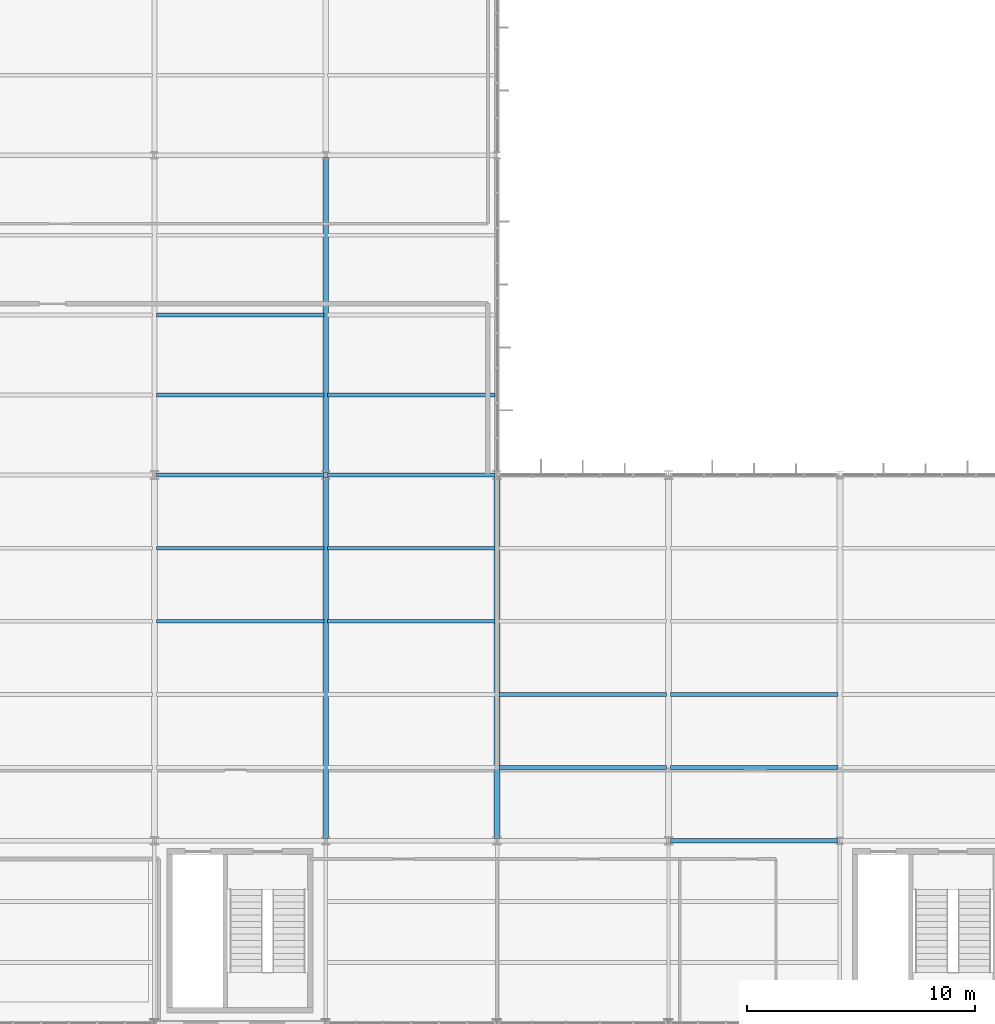
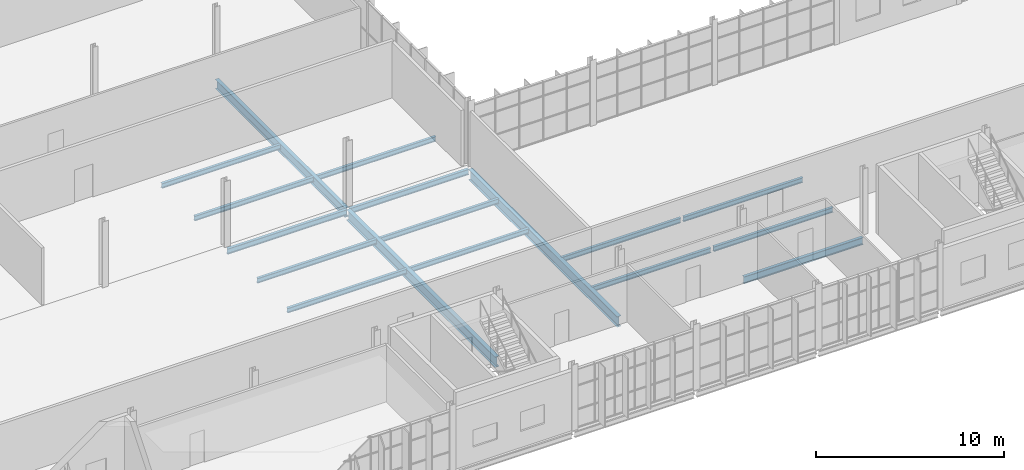
# One storey, part 29 of 324: 17 beams.
"""IFC4 building model written with IfcOpenShell, lengths in metres."""

from ifc_helpers import new_model, si_unit, direction, frame, origin, origin_2d, place, context, subcontext, project, spatial, i_section, extrude, material, material_profile, profile_set, type_object, element, save


model = new_model("IFC4")

# Units and contexts
model_context = context("Model", 3, precision=1e-05, world=origin(), true_north=direction((0.0, 1.0)))
body_context = subcontext(model_context, "Body", "Model", "MODEL_VIEW")
ifc_project = project(units=[si_unit("LENGTHUNIT", "METRE"), si_unit("AREAUNIT", "SQUARE_METRE"), si_unit("VOLUMEUNIT", "CUBIC_METRE"), si_unit("PLANEANGLEUNIT", "RADIAN"), si_unit("MASSUNIT", "GRAM", prefix="KILO")], contexts=[model_context])

# Site, building, storey
site_placement = place(None, origin())
site = spatial("IfcSite", under=ifc_project, at=site_placement, CompositionType="ELEMENT")
building_placement = place(site_placement, origin())
building = spatial("IfcBuilding", under=site, at=building_placement, Name="Solvenia Promenade Tram Depot", CompositionType="ELEMENT")
storey_placement = place(building_placement, frame((0.0, 0.0, 4.5)))
storey = spatial("IfcBuildingStorey", under=building, at=storey_placement, Name="L01", CompositionType="ELEMENT", Elevation=4.5)

# Beams
ifc_material = material(Name="Structural steel ASTM A992 Gr. 50", Category="steel")
ifc_material_profile_1 = material_profile(ifc_material, i_section(OverallWidth=0.19091796875, OverallDepth=0.4599609375, WebThickness=0.010009765625, FlangeThickness=0.01611328125, FilletRadius=0.012939453125, at=origin_2d()), Name="W460x82", Category="steel")
ifc_profile_set_1 = profile_set([ifc_material_profile_1], Name="Structural steel ASTM A992 Gr. 50")
beam_type_1 = type_object("IfcBeamType", Name="Beam-W460x82", PredefinedType="BEAM", material=ifc_profile_set_1)
beam_1_placement = place(storey_placement, frame((52.5849609375, 8.0, -0.449951171875), z_axis=(1.0, 0.0, 0.0), x_axis=(0.0, 1.0, 0.0)))
element("IfcBeam", 1, at=beam_1_placement, inside=storey, type_object=beam_type_1, Name="Primary Girder BM-L01-0319", PredefinedType="BEAM", context=body_context, shape_type="SweptSolid", body=[
    extrude(i_section(OverallWidth=0.19091796875, OverallDepth=0.4599609375, WebThickness=0.010009765625, FlangeThickness=0.01611328125, FilletRadius=0.012939453125, at=origin_2d()), origin(), (0.0, 0.0, 1.0), 7.330078125),
])
ifc_material_profile_2 = material_profile(ifc_material, i_section(OverallWidth=0.22900390625, OverallDepth=0.612060546875, WebThickness=0.011962890625, FlangeThickness=0.01953125, FilletRadius=0.014892578125, at=origin_2d()), Name="W610x125", Category="steel")
ifc_profile_set_2 = profile_set([ifc_material_profile_2], Name="Structural steel ASTM A992 Gr. 50")
beam_type_2 = type_object("IfcBeamType", Name="Gird-W610x125", PredefinedType="BEAM", material=ifc_profile_set_2)
beam_2_placement = place(storey_placement, frame((37.5, 24.0849609375, -0.5458984375), z_axis=(0.0, 1.0, 0.0), x_axis=(-1.0, 0.0, 0.0)))
element("IfcBeam", 2, at=beam_2_placement, inside=storey, type_object=beam_type_2, Name="Transverse Girder BM-L01-0244", PredefinedType="BEAM", context=body_context, shape_type="SweptSolid", body=[
    extrude(i_section(OverallWidth=0.22900390625, OverallDepth=0.612060546875, WebThickness=0.011962890625, FlangeThickness=0.01953125, FilletRadius=0.014892578125, at=origin_2d()), origin(), (0.0, 0.0, 1.0), 13.830078125),
])
ifc_material_profile_3 = material_profile(ifc_material, i_section(OverallWidth=0.25390625, OverallDepth=0.68408203125, WebThickness=0.012451171875, FlangeThickness=0.018798828125, FilletRadius=0.01611328125, at=origin_2d()), Name="W690x140", Category="steel")
ifc_profile_set_3 = profile_set([ifc_material_profile_3], Name="Structural steel ASTM A992 Gr. 50")
beam_type_3 = type_object("IfcBeamType", Name="Gird-W690x140", PredefinedType="BEAM", material=ifc_profile_set_3)
for number, where, z_axis, x_axis, name in (
    (3, (37.5, 8.0849609375, -0.56201171875), (0.0, 1.0, 0.0), (-1.0, 0.0, 0.0), "Transverse Girder BM-L01-0340"),
    (4, (45.0, 8.0849609375, -0.56201171875), (0.0, 1.0, 0.0), (-1.0, 0.0, 0.0), "Transverse Girder BM-L01-0342"),
):
    element("IfcBeam", number, at=place(storey_placement, frame(where, z_axis=z_axis, x_axis=x_axis)), inside=storey, type_object=beam_type_3, Name=name, PredefinedType="BEAM", context=body_context, shape_type="SweptSolid", body=[
        extrude(i_section(OverallWidth=0.25390625, OverallDepth=0.68408203125, WebThickness=0.012451171875, FlangeThickness=0.018798828125, FilletRadius=0.01611328125, at=origin_2d()), origin(), (0.0, 0.0, 1.0), 15.830078125),
    ])
ifc_material_profile_4 = material_profile(ifc_material, i_section(OverallWidth=0.166015625, OverallDepth=0.31298828125, WebThickness=0.006591796875, FlangeThickness=0.01123046875, FilletRadius=0.010009765625, at=origin_2d()), Name="W310x45", Category="steel")
ifc_profile_set_4 = profile_set([ifc_material_profile_4], Name="Structural steel ASTM A992 Gr. 50")
beam_type_4 = type_object("IfcBeamType", Name="Joist-W310x45", PredefinedType="JOIST", material=ifc_profile_set_4)
for number, where, z_axis, x_axis, name in (
    (5, (30.0849609375, 27.5, -0.396484375), (1.0, 0.0, 0.0), (0.0, 1.0, 0.0), "Secondary Floor Joist BM-L01-0284"),
    (6, (30.0849609375, 31.0, -0.396484375), (1.0, 0.0, 0.0), (0.0, 1.0, 0.0), "Secondary Floor Joist BM-L01-0285"),
    (7, (37.5849609375, 27.5, -0.396484375), (1.0, 0.0, 0.0), (0.0, 1.0, 0.0), "Secondary Floor Joist BM-L01-0293"),
    (8, (30.0849609375, 17.60009765625, -0.37646484375), (1.0, 0.0, 0.0), (0.0, 1.0, 0.0), "Secondary Floor Joist BM-L01-0378"),
    (9, (30.0849609375, 20.800048828125, -0.37646484375), (1.0, 0.0, 0.0), (0.0, 1.0, 0.0), "Secondary Floor Joist BM-L01-0379"),
    (10, (37.5849609375, 17.60009765625, -0.37646484375), (1.0, 0.0, 0.0), (0.0, 1.0, 0.0), "Secondary Floor Joist BM-L01-0384"),
    (11, (37.5849609375, 20.800048828125, -0.37646484375), (1.0, 0.0, 0.0), (0.0, 1.0, 0.0), "Secondary Floor Joist BM-L01-0385"),
    (12, (45.0849609375, 11.199951171875, -0.37646484375), (1.0, 0.0, 0.0), (0.0, 1.0, 0.0), "Secondary Floor Joist BM-L01-0388"),
    (13, (45.0849609375, 14.39990234375, -0.37646484375), (1.0, 0.0, 0.0), (0.0, 1.0, 0.0), "Secondary Floor Joist BM-L01-0389"),
    (14, (52.5849609375, 11.199951171875, -0.37646484375), (1.0, 0.0, 0.0), (0.0, 1.0, 0.0), "Secondary Floor Joist BM-L01-0394"),
    (15, (52.5849609375, 14.39990234375, -0.37646484375), (1.0, 0.0, 0.0), (0.0, 1.0, 0.0), "Secondary Floor Joist BM-L01-0395"),
):
    element("IfcBeam", number, at=place(storey_placement, frame(where, z_axis=z_axis, x_axis=x_axis)), inside=storey, type_object=beam_type_4, Name=name, PredefinedType="JOIST", context=body_context, shape_type="SweptSolid", body=[
        extrude(i_section(OverallWidth=0.166015625, OverallDepth=0.31298828125, WebThickness=0.006591796875, FlangeThickness=0.01123046875, FilletRadius=0.010009765625, at=origin_2d()), origin(), (0.0, 0.0, 1.0), 7.330078125),
    ])
ifc_material_profile_5 = material_profile(ifc_material, i_section(OverallWidth=0.172119140625, OverallDepth=0.35791015625, WebThickness=0.0078125, FlangeThickness=0.01318359375, FilletRadius=0.010986328125, at=origin_2d()), Name="W360x57", Category="steel")
ifc_profile_set_5 = profile_set([ifc_material_profile_5], Name="Structural steel ASTM A992 Gr. 50")
beam_type_5 = type_object("IfcBeamType", Name="Spandrel-W360x57", PredefinedType="SPANDREL", material=ifc_profile_set_5)
for number, where, z_axis, x_axis, name in (
    (16, (30.0849609375, 24.0, -0.4189453125), (1.0, 0.0, 0.0), (0.0, 1.0, 0.0), "Perimeter Spandrel BM-L01-0215"),
    (17, (37.5849609375, 24.0, -0.4189453125), (1.0, 0.0, 0.0), (0.0, 1.0, 0.0), "Perimeter Spandrel BM-L01-0216"),
):
    element("IfcBeam", number, at=place(storey_placement, frame(where, z_axis=z_axis, x_axis=x_axis)), inside=storey, type_object=beam_type_5, Name=name, PredefinedType="SPANDREL", context=body_context, shape_type="SweptSolid", body=[
        extrude(i_section(OverallWidth=0.172119140625, OverallDepth=0.35791015625, WebThickness=0.0078125, FlangeThickness=0.01318359375, FilletRadius=0.010986328125, at=origin_2d()), origin(), (0.0, 0.0, 1.0), 7.330078125),
    ])

save(model, "model.ifc")
